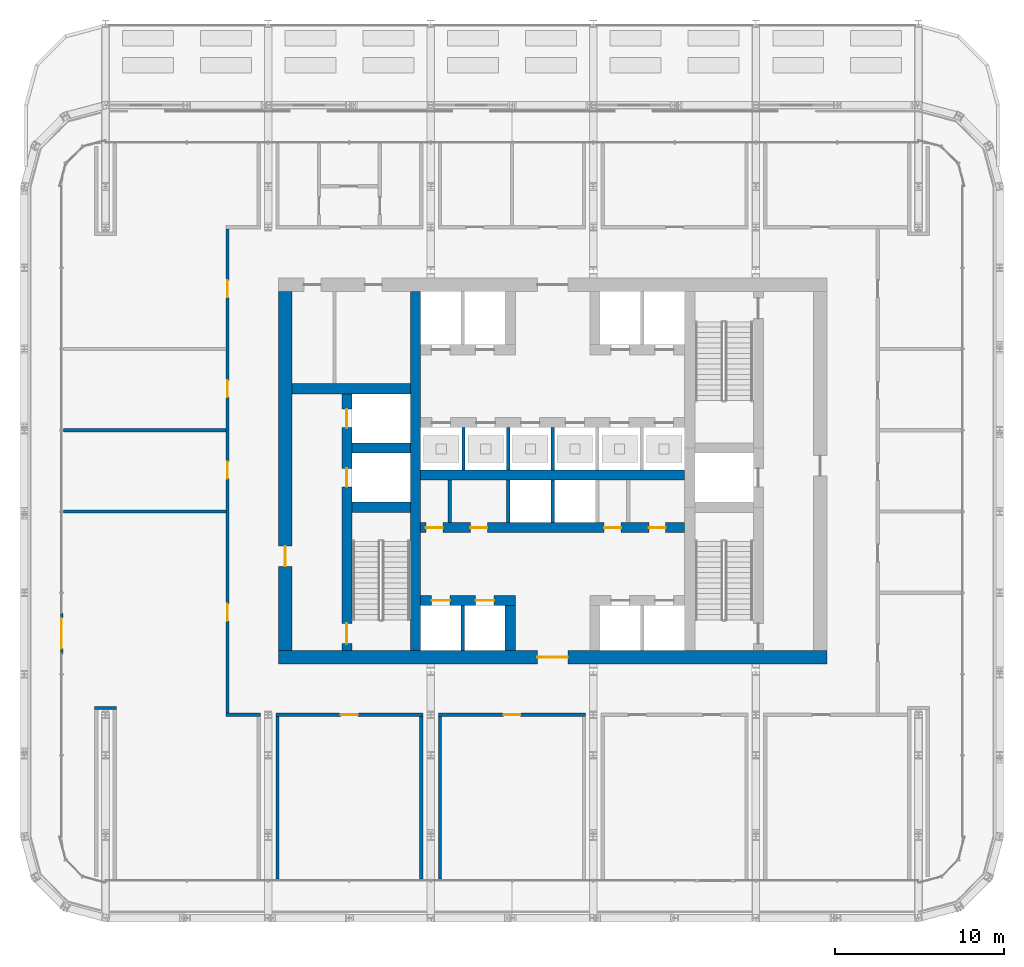
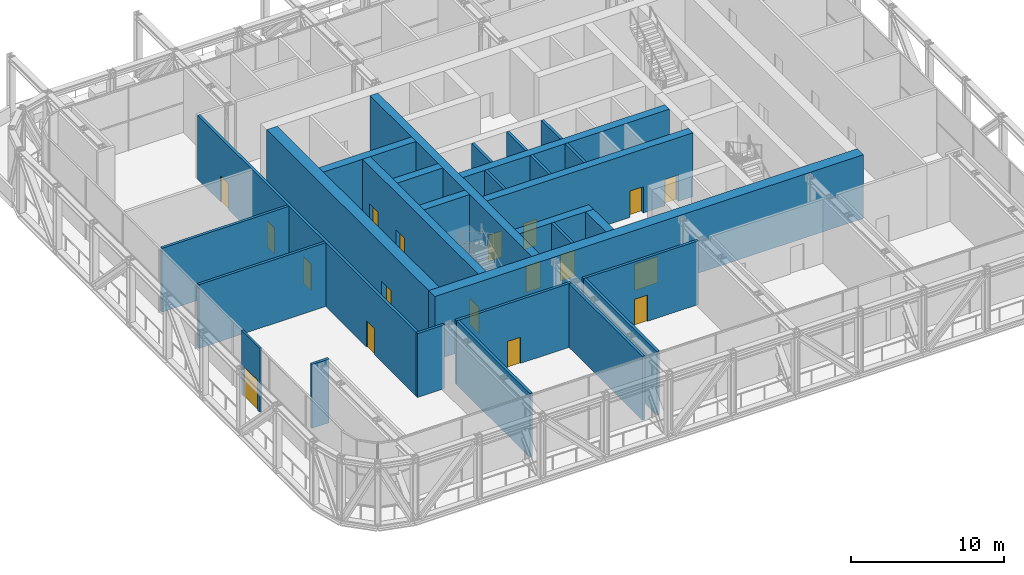
# One storey, part 16 of 27: 29 walls, 18 doors, 18 openings.
"""IFC4 building model written with IfcOpenShell, lengths in metres."""

from ifc_helpers import new_model, si_unit, direction, frame, frame_2d, origin, place, context, subcontext, project, spatial, rectangle, extrude, material, layer, layer_set, type_object, element, fill, save


model = new_model("IFC4")

# Units and contexts
model_context = context("Model", 3, precision=1e-05, world=origin(), true_north=direction((0.0, 1.0)))
body_context = subcontext(model_context, "Body", "Model", "MODEL_VIEW")
ifc_project = project(units=[si_unit("LENGTHUNIT", "METRE"), si_unit("AREAUNIT", "SQUARE_METRE"), si_unit("VOLUMEUNIT", "CUBIC_METRE"), si_unit("PLANEANGLEUNIT", "RADIAN"), si_unit("MASSUNIT", "GRAM", prefix="KILO")], contexts=[model_context])

# Site, building, storey
site_placement = place(None, origin())
site = spatial("IfcSite", under=ifc_project, at=site_placement, CompositionType="ELEMENT")
building_placement = place(site_placement, origin())
building = spatial("IfcBuilding", under=site, at=building_placement, Name="Madar Terraces", CompositionType="ELEMENT")
storey_placement = place(building_placement, frame((0.0, 0.0, 143.60009765625)))
storey = spatial("IfcBuildingStorey", under=building, at=storey_placement, Name="L37", CompositionType="ELEMENT", Elevation=143.60009765625)

# Wall, openings, doors
ifc_material_1 = material(Name="Concrete C70/85", Category="concrete")
ifc_layer_1 = layer(ifc_material_1, 0.60009765625)
ifc_layer_set_1 = layer_set([ifc_layer_1], Name="Concrete C70/85 (CIW3 RC wall 600)")
wall_type_1 = type_object("IfcWallType", Name="CIW3 RC wall 600", PredefinedType="SHEAR", material=ifc_layer_set_1)
wall_1_placement = place(storey_placement, frame((19.050048828125, 15.800048828125, 0.0), z_axis=(0.0, 0.0, 1.0), x_axis=(0.0, 1.0, 0.0)))
wall_1 = element("IfcWall", 1, at=wall_1_placement, inside=storey, type_object=wall_type_1, Name="CORE SHAFT WALL", PredefinedType="SHEAR", context=body_context, shape_type="SweptSolid", body=[
    extrude(rectangle(XDim=15.14990234375, YDim=0.60009765625, at=frame_2d((7.574951171875, 0.0))), origin(), (0.0, 0.0, 1.0), 5.099853515625),
])
opening_1_placement = place(wall_1_placement, frame((9.64990234375, 0.0, 0.0)))
opening_1 = element("IfcOpeningElement", 2, at=opening_1_placement, cuts=wall_1, Name="Opening LD", PredefinedType="OPENING", context=body_context, shape_type="SweptSolid", body=[
    extrude(rectangle(XDim=1.10009765625, YDim=2.10009765625, at=frame_2d((0.550048828125, 1.050048828125))), frame((0.0, 0.31005859375, 0.0), z_axis=(0.0, -1.0, 0.0), x_axis=(1.0, 0.0, 0.0)), (0.0, 0.0, 1.0), 0.6201171875),
])
opening_2_placement = place(wall_1_placement, frame((13.14990234375, 0.0, 0.0)))
opening_2 = element("IfcOpeningElement", 3, at=opening_2_placement, cuts=wall_1, Name="Opening LD", PredefinedType="OPENING", context=body_context, shape_type="SweptSolid", body=[
    extrude(rectangle(XDim=1.10009765625, YDim=2.10009765625, at=frame_2d((0.550048828125, 1.050048828125))), frame((0.0, 0.31005859375, 0.0), z_axis=(0.0, -1.0, 0.0), x_axis=(1.0, 0.0, 0.0)), (0.0, 0.0, 1.0), 0.6201171875),
])
opening_3_placement = place(wall_1_placement, frame((0.39990234375, 0.0, 0.0)))
opening_3 = element("IfcOpeningElement", 4, at=opening_3_placement, cuts=wall_1, Name="Opening SD1", PredefinedType="OPENING", context=body_context, shape_type="SweptSolid", body=[
    extrude(rectangle(XDim=1.199951171875, YDim=2.10009765625, at=frame_2d((0.60009765625, 1.050048828125))), frame((0.0, 0.31005859375, 0.0), z_axis=(0.0, -1.0, 0.0), x_axis=(1.0, 0.0, 0.0)), (0.0, 0.0, 1.0), 0.6201171875),
])
ifc_material_2 = material(Name="Stainless steel panel", Category="steel")
door_type_1 = type_object("IfcDoorType", Name="Lift landing door 1100 x 2100", OperationType="DOUBLE_DOOR_SLIDING", PredefinedType="DOOR", material=ifc_material_2)
door_1_placement = place(opening_1_placement, origin())
door_1 = element("IfcDoor", 5, at=door_1_placement, inside=storey, type_object=door_type_1, Name="LIFT LANDING DOOR", OperationType="DOUBLE_DOOR_SLIDING", OverallHeight=2.10009765625, OverallWidth=1.10009765625, PredefinedType="DOOR", context=body_context, shape_type="SweptSolid", body=[
    extrude(rectangle(XDim=1.10009765625, YDim=2.10009765625, at=frame_2d((0.550048828125, 1.050048828125))), frame((0.0, 0.02490234375, 0.0), z_axis=(0.0, -1.0, 0.0), x_axis=(1.0, 0.0, 0.0)), (0.0, 0.0, 1.0), 0.050048828125),
])
fill(opening_1, door_1)
door_2_placement = place(opening_2_placement, origin())
door_2 = element("IfcDoor", 6, at=door_2_placement, inside=storey, type_object=door_type_1, Name="LIFT LANDING DOOR", OperationType="DOUBLE_DOOR_SLIDING", OverallHeight=2.10009765625, OverallWidth=1.10009765625, PredefinedType="DOOR", context=body_context, shape_type="SweptSolid", body=[
    extrude(rectangle(XDim=1.10009765625, YDim=2.10009765625, at=frame_2d((0.550048828125, 1.050048828125))), frame((0.0, 0.02490234375, 0.0), z_axis=(0.0, -1.0, 0.0), x_axis=(1.0, 0.0, 0.0)), (0.0, 0.0, 1.0), 0.050048828125),
])
fill(opening_2, door_2)
ifc_material_3 = material(Name="Steel door leaf", Category="steel")
door_type_2 = type_object("IfcDoorType", Name="Stair door 1200 x 2100", OperationType="NOTDEFINED", PredefinedType="DOOR", material=ifc_material_3)
door_3_placement = place(opening_3_placement, frame((1.199951171875, 0.0, 0.0), z_axis=(0.0, 0.0, 1.0), x_axis=(-1.0, 0.0, 0.0)))
door_3 = element("IfcDoor", 7, at=door_3_placement, inside=storey, type_object=door_type_2, Name="STAIR DOOR", OperationType="SINGLE_SWING_LEFT", OverallHeight=2.10009765625, OverallWidth=1.199951171875, PredefinedType="DOOR", context=body_context, shape_type="SweptSolid", body=[
    extrude(rectangle(XDim=1.199951171875, YDim=2.10009765625, at=frame_2d((0.60009765625, 1.050048828125))), frame((0.0, 0.02490234375, 0.0), z_axis=(0.0, -1.0, 0.0), x_axis=(1.0, 0.0, 0.0)), (0.0, 0.0, 1.0), 0.050048828125),
])
fill(opening_3, door_3)

# Walls
wall_2_placement = place(storey_placement, frame((23.10009765625, 15.800048828125, 0.0), z_axis=(0.0, 0.0, 1.0), x_axis=(0.0, 1.0, 0.0)))
element("IfcWall", 8, at=wall_2_placement, inside=storey, type_object=wall_type_1, Name="CORE SHAFT WALL", PredefinedType="SHEAR", context=body_context, shape_type="SweptSolid", body=[
    extrude(rectangle(XDim=21.199951171875, YDim=0.60009765625, at=frame_2d((10.60009765625, 0.0))), origin(), (0.0, 0.0, 1.0), 5.099853515625),
])
for number, where, z_axis, x_axis, name in (
    (9, (19.35009765625, 24.25, 0.0), (0.0, 0.0, 1.0), (1.0, 0.0, 0.0), "CORE SHAFT WALL"),
    (10, (19.35009765625, 27.75, 0.0), (0.0, 0.0, 1.0), (1.0, 0.0, 0.0), "CORE SHAFT WALL"),
):
    element("IfcWall", number, at=place(storey_placement, frame(where, z_axis=z_axis, x_axis=x_axis)), inside=storey, type_object=wall_type_1, Name=name, PredefinedType="SHEAR", context=body_context, shape_type="SweptSolid", body=[
        extrude(rectangle(XDim=3.449951171875, YDim=0.60009765625, at=frame_2d((1.72509765625, 0.0))), origin(), (0.0, 0.0, 1.0), 5.099853515625),
    ])
wall_3_placement = place(storey_placement, frame((15.800048828125, 31.25, 0.0), z_axis=(0.0, 0.0, 1.0), x_axis=(1.0, 0.0, 0.0)))
element("IfcWall", 11, at=wall_3_placement, inside=storey, type_object=wall_type_1, Name="CORE SHAFT WALL", PredefinedType="SHEAR", context=body_context, shape_type="SweptSolid", body=[
    extrude(rectangle(XDim=7.0, YDim=0.60009765625, at=frame_2d((3.5, 0.0))), origin(), (0.0, 0.0, 1.0), 5.099853515625),
])

# Wall, openings, doors
wall_4_placement = place(storey_placement, frame((23.39990234375, 18.75, 0.0), z_axis=(0.0, 0.0, 1.0), x_axis=(1.0, 0.0, 0.0)))
wall_4 = element("IfcWall", 12, at=wall_4_placement, inside=storey, type_object=wall_type_1, Name="CORE SHAFT WALL", PredefinedType="SHEAR", context=body_context, shape_type="SweptSolid", body=[
    extrude(rectangle(XDim=5.60009765625, YDim=0.60009765625, at=frame_2d((2.800048828125, 0.0))), origin(), (0.0, 0.0, 1.0), 5.099853515625),
])
opening_4_placement = place(wall_4_placement, frame((0.64990234375, 0.0, 0.0)))
opening_4 = element("IfcOpeningElement", 13, at=opening_4_placement, cuts=wall_4, Name="Opening LD", PredefinedType="OPENING", context=body_context, shape_type="SweptSolid", body=[
    extrude(rectangle(XDim=1.10009765625, YDim=2.10009765625, at=frame_2d((0.550048828125, 1.050048828125))), frame((0.0, 0.31005859375, 0.0), z_axis=(0.0, -1.0, 0.0), x_axis=(1.0, 0.0, 0.0)), (0.0, 0.0, 1.0), 0.6201171875),
])
opening_5_placement = place(wall_4_placement, frame((3.25, 0.0, 0.0)))
opening_5 = element("IfcOpeningElement", 14, at=opening_5_placement, cuts=wall_4, Name="Opening LD", PredefinedType="OPENING", context=body_context, shape_type="SweptSolid", body=[
    extrude(rectangle(XDim=1.10009765625, YDim=2.10009765625, at=frame_2d((0.550048828125, 1.050048828125))), frame((0.0, 0.31005859375, 0.0), z_axis=(0.0, -1.0, 0.0), x_axis=(1.0, 0.0, 0.0)), (0.0, 0.0, 1.0), 0.6201171875),
])
door_4_placement = place(opening_4_placement, origin())
door_4 = element("IfcDoor", 15, at=door_4_placement, inside=storey, type_object=door_type_1, Name="LIFT LANDING DOOR", OperationType="DOUBLE_DOOR_SLIDING", OverallHeight=2.10009765625, OverallWidth=1.10009765625, PredefinedType="DOOR", context=body_context, shape_type="SweptSolid", body=[
    extrude(rectangle(XDim=1.10009765625, YDim=2.10009765625, at=frame_2d((0.550048828125, 1.050048828125))), frame((0.0, 0.02490234375, 0.0), z_axis=(0.0, -1.0, 0.0), x_axis=(1.0, 0.0, 0.0)), (0.0, 0.0, 1.0), 0.050048828125),
])
fill(opening_4, door_4)
door_5_placement = place(opening_5_placement, origin())
door_5 = element("IfcDoor", 16, at=door_5_placement, inside=storey, type_object=door_type_1, Name="LIFT LANDING DOOR", OperationType="DOUBLE_DOOR_SLIDING", OverallHeight=2.10009765625, OverallWidth=1.10009765625, PredefinedType="DOOR", context=body_context, shape_type="SweptSolid", body=[
    extrude(rectangle(XDim=1.10009765625, YDim=2.10009765625, at=frame_2d((0.550048828125, 1.050048828125))), frame((0.0, 0.02490234375, 0.0), z_axis=(0.0, -1.0, 0.0), x_axis=(1.0, 0.0, 0.0)), (0.0, 0.0, 1.0), 0.050048828125),
])
fill(opening_5, door_5)

wall_5_placement = place(storey_placement, frame((23.39990234375, 23.050048828125, 0.0), z_axis=(0.0, 0.0, 1.0), x_axis=(1.0, 0.0, 0.0)))
wall_5 = element("IfcWall", 17, at=wall_5_placement, inside=storey, type_object=wall_type_1, Name="CORE SHAFT WALL", PredefinedType="SHEAR", context=body_context, shape_type="SweptSolid", body=[
    extrude(rectangle(XDim=15.60009765625, YDim=0.60009765625, at=frame_2d((7.800048828125, 0.0))), origin(), (0.0, 0.0, 1.0), 5.099853515625),
])
opening_6_placement = place(wall_5_placement, frame((0.311279296875, 0.0, 0.0)))
opening_6 = element("IfcOpeningElement", 18, at=opening_6_placement, cuts=wall_5, Name="Opening KD2", PredefinedType="OPENING", context=body_context, shape_type="SweptSolid", body=[
    extrude(rectangle(XDim=1.0, YDim=2.10009765625, at=frame_2d((0.5, 1.050048828125))), frame((0.0, 0.31005859375, 0.0), z_axis=(0.0, -1.0, 0.0), x_axis=(1.0, 0.0, 0.0)), (0.0, 0.0, 1.0), 0.6201171875),
])
opening_7_placement = place(wall_5_placement, frame((2.944580078125, 0.0, 0.0)))
opening_7 = element("IfcOpeningElement", 19, at=opening_7_placement, cuts=wall_5, Name="Opening KD2", PredefinedType="OPENING", context=body_context, shape_type="SweptSolid", body=[
    extrude(rectangle(XDim=1.0, YDim=2.10009765625, at=frame_2d((0.5, 1.050048828125))), frame((0.0, 0.31005859375, 0.0), z_axis=(0.0, -1.0, 0.0), x_axis=(1.0, 0.0, 0.0)), (0.0, 0.0, 1.0), 0.6201171875),
])
opening_8_placement = place(wall_5_placement, frame((10.8447265625, 0.0, 0.0)))
opening_8 = element("IfcOpeningElement", 20, at=opening_8_placement, cuts=wall_5, Name="Opening KD2", PredefinedType="OPENING", context=body_context, shape_type="SweptSolid", body=[
    extrude(rectangle(XDim=1.0, YDim=2.10009765625, at=frame_2d((0.5, 1.050048828125))), frame((0.0, 0.31005859375, 0.0), z_axis=(0.0, -1.0, 0.0), x_axis=(1.0, 0.0, 0.0)), (0.0, 0.0, 1.0), 0.6201171875),
])
opening_9_placement = place(wall_5_placement, frame((13.47802734375, 0.0, 0.0)))
opening_9 = element("IfcOpeningElement", 21, at=opening_9_placement, cuts=wall_5, Name="Opening KD2", PredefinedType="OPENING", context=body_context, shape_type="SweptSolid", body=[
    extrude(rectangle(XDim=1.0, YDim=2.10009765625, at=frame_2d((0.5, 1.050048828125))), frame((0.0, 0.31005859375, 0.0), z_axis=(0.0, -1.0, 0.0), x_axis=(1.0, 0.0, 0.0)), (0.0, 0.0, 1.0), 0.6201171875),
])
ifc_material_4 = material(Name="Steel door leaf", Category="steel")
door_type_3 = type_object("IfcDoorType", Name="Service room door 1000 x 2100", OperationType="NOTDEFINED", PredefinedType="DOOR", material=ifc_material_4)
door_6_placement = place(opening_6_placement, frame((1.0, 0.0, 0.0), z_axis=(0.0, 0.0, 1.0), x_axis=(-1.0, 0.0, 0.0)))
door_6 = element("IfcDoor", 22, at=door_6_placement, inside=storey, type_object=door_type_3, Name="SERVICE ROOM DOOR", OperationType="SINGLE_SWING_RIGHT", OverallHeight=2.10009765625, OverallWidth=1.0, PredefinedType="DOOR", context=body_context, shape_type="SweptSolid", body=[
    extrude(rectangle(XDim=1.0, YDim=2.10009765625, at=frame_2d((0.5, 1.050048828125))), frame((0.0, 0.02490234375, 0.0), z_axis=(0.0, -1.0, 0.0), x_axis=(1.0, 0.0, 0.0)), (0.0, 0.0, 1.0), 0.050048828125),
])
fill(opening_6, door_6)
door_7_placement = place(opening_7_placement, frame((1.0, 0.0, 0.0), z_axis=(0.0, 0.0, 1.0), x_axis=(-1.0, 0.0, 0.0)))
door_7 = element("IfcDoor", 23, at=door_7_placement, inside=storey, type_object=door_type_3, Name="SERVICE ROOM DOOR", OperationType="SINGLE_SWING_LEFT", OverallHeight=2.10009765625, OverallWidth=1.0, PredefinedType="DOOR", context=body_context, shape_type="SweptSolid", body=[
    extrude(rectangle(XDim=1.0, YDim=2.10009765625, at=frame_2d((0.5, 1.050048828125))), frame((0.0, 0.02490234375, 0.0), z_axis=(0.0, -1.0, 0.0), x_axis=(1.0, 0.0, 0.0)), (0.0, 0.0, 1.0), 0.050048828125),
])
fill(opening_7, door_7)
door_8_placement = place(opening_8_placement, frame((1.0, 0.0, 0.0), z_axis=(0.0, 0.0, 1.0), x_axis=(-1.0, 0.0, 0.0)))
door_8 = element("IfcDoor", 24, at=door_8_placement, inside=storey, type_object=door_type_3, Name="SERVICE ROOM DOOR", OperationType="SINGLE_SWING_RIGHT", OverallHeight=2.10009765625, OverallWidth=1.0, PredefinedType="DOOR", context=body_context, shape_type="SweptSolid", body=[
    extrude(rectangle(XDim=1.0, YDim=2.10009765625, at=frame_2d((0.5, 1.050048828125))), frame((0.0, 0.02490234375, 0.0), z_axis=(0.0, -1.0, 0.0), x_axis=(1.0, 0.0, 0.0)), (0.0, 0.0, 1.0), 0.050048828125),
])
fill(opening_8, door_8)
door_9_placement = place(opening_9_placement, frame((1.0, 0.0, 0.0), z_axis=(0.0, 0.0, 1.0), x_axis=(-1.0, 0.0, 0.0)))
door_9 = element("IfcDoor", 25, at=door_9_placement, inside=storey, type_object=door_type_3, Name="SERVICE ROOM DOOR", OperationType="SINGLE_SWING_LEFT", OverallHeight=2.10009765625, OverallWidth=1.0, PredefinedType="DOOR", context=body_context, shape_type="SweptSolid", body=[
    extrude(rectangle(XDim=1.0, YDim=2.10009765625, at=frame_2d((0.5, 1.050048828125))), frame((0.0, 0.02490234375, 0.0), z_axis=(0.0, -1.0, 0.0), x_axis=(1.0, 0.0, 0.0)), (0.0, 0.0, 1.0), 0.050048828125),
])
fill(opening_9, door_9)

# Walls
wall_6_placement = place(storey_placement, frame((23.39990234375, 26.14990234375, 0.0), z_axis=(0.0, 0.0, 1.0), x_axis=(1.0, 0.0, 0.0)))
element("IfcWall", 26, at=wall_6_placement, inside=storey, type_object=wall_type_1, Name="CORE SHAFT WALL", PredefinedType="SHEAR", context=body_context, shape_type="SweptSolid", body=[
    extrude(rectangle(XDim=15.60009765625, YDim=0.60009765625, at=frame_2d((7.800048828125, 0.0))), origin(), (0.0, 0.0, 1.0), 5.099853515625),
])
wall_7_placement = place(storey_placement, frame((28.699951171875, 15.800048828125, 0.0), z_axis=(0.0, 0.0, 1.0), x_axis=(0.0, 1.0, 0.0)))
element("IfcWall", 27, at=wall_7_placement, inside=storey, type_object=wall_type_1, Name="CORE SHAFT WALL", PredefinedType="SHEAR", context=body_context, shape_type="SweptSolid", body=[
    extrude(rectangle(XDim=2.64990234375, YDim=0.60009765625, at=frame_2d((1.324951171875, 0.0))), origin(), (0.0, 0.0, 1.0), 5.099853515625),
])

# Wall, opening, door
ifc_material_5 = material(Name="Concrete C70/85", Category="concrete")
ifc_layer_2 = layer(ifc_material_5, 0.800048828125)
ifc_layer_set_2 = layer_set([ifc_layer_2], Name="Concrete C70/85 (CRW3 RC wall 800)")
wall_type_2 = type_object("IfcWallType", Name="CRW3 RC wall 800", PredefinedType="SHEAR", material=ifc_layer_set_2)
wall_8_placement = place(storey_placement, frame((15.0, 15.39990234375, 0.0), z_axis=(0.0, 0.0, 1.0), x_axis=(1.0, 0.0, 0.0)))
wall_8 = element("IfcWall", 28, at=wall_8_placement, inside=storey, type_object=wall_type_2, Name="CORE OUTER WALL", PredefinedType="SHEAR", context=body_context, shape_type="SweptSolid", body=[
    extrude(rectangle(XDim=32.39990234375, YDim=0.800048828125, at=frame_2d((16.199951171875, 0.0))), origin(), (0.0, 0.0, 1.0), 5.099853515625),
])
opening_10_placement = place(wall_8_placement, frame((15.300048828125, 0.0, 0.0)))
opening_10 = element("IfcOpeningElement", 29, at=opening_10_placement, cuts=wall_8, Name="Opening KD1", PredefinedType="OPENING", context=body_context, shape_type="SweptSolid", body=[
    extrude(rectangle(XDim=1.800048828125, YDim=2.10009765625, at=frame_2d((0.89990234375, 1.050048828125))), frame((0.0, 0.409912109375, 0.0), z_axis=(0.0, -1.0, 0.0), x_axis=(1.0, 0.0, 0.0)), (0.0, 0.0, 1.0), 0.820068359375),
])
ifc_material_6 = material(Name="Steel door leaf", Category="steel")
door_type_4 = type_object("IfcDoorType", Name="Lobby door pair 1800 x 2100", OperationType="DOUBLE_DOOR_SINGLE_SWING", PredefinedType="DOOR", material=ifc_material_6)
door_10_placement = place(opening_10_placement, frame((1.800048828125, 0.0, 0.0), z_axis=(0.0, 0.0, 1.0), x_axis=(-1.0, 0.0, 0.0)))
door_10 = element("IfcDoor", 30, at=door_10_placement, inside=storey, type_object=door_type_4, Name="LIFT LOBBY DOOR", OperationType="DOUBLE_DOOR_SINGLE_SWING", OverallHeight=2.10009765625, OverallWidth=1.800048828125, PredefinedType="DOOR", context=body_context, shape_type="SweptSolid", body=[
    extrude(rectangle(XDim=1.800048828125, YDim=2.10009765625, at=frame_2d((0.89990234375, 1.050048828125))), frame((0.0, 0.02490234375, 0.0), z_axis=(0.0, -1.0, 0.0), x_axis=(1.0, 0.0, 0.0)), (0.0, 0.0, 1.0), 0.050048828125),
])
fill(opening_10, door_10)

wall_9_placement = place(storey_placement, frame((15.39990234375, 15.800048828125, 0.0), z_axis=(0.0, 0.0, 1.0), x_axis=(0.0, 1.0, 0.0)))
wall_9 = element("IfcWall", 31, at=wall_9_placement, inside=storey, type_object=wall_type_2, Name="CORE OUTER WALL", PredefinedType="SHEAR", context=body_context, shape_type="SweptSolid", body=[
    extrude(rectangle(XDim=21.199951171875, YDim=0.800048828125, at=frame_2d((10.60009765625, 0.0))), origin(), (0.0, 0.0, 1.0), 5.099853515625),
])
opening_11_placement = place(wall_9_placement, frame((4.9599609375, 0.0, 0.0)))
opening_11 = element("IfcOpeningElement", 32, at=opening_11_placement, cuts=wall_9, Name="Opening SD1", PredefinedType="OPENING", context=body_context, shape_type="SweptSolid", body=[
    extrude(rectangle(XDim=1.199951171875, YDim=2.10009765625, at=frame_2d((0.60009765625, 1.050048828125))), frame((0.0, 0.409912109375, 0.0), z_axis=(0.0, -1.0, 0.0), x_axis=(1.0, 0.0, 0.0)), (0.0, 0.0, 1.0), 0.820068359375),
])
door_11_placement = place(opening_11_placement, frame((1.199951171875, 0.0, 0.0), z_axis=(0.0, 0.0, 1.0), x_axis=(-1.0, 0.0, 0.0)))
door_11 = element("IfcDoor", 33, at=door_11_placement, inside=storey, type_object=door_type_2, Name="STAIR DOOR", OperationType="SINGLE_SWING_RIGHT", OverallHeight=2.10009765625, OverallWidth=1.199951171875, PredefinedType="DOOR", context=body_context, shape_type="SweptSolid", body=[
    extrude(rectangle(XDim=1.199951171875, YDim=2.10009765625, at=frame_2d((0.60009765625, 1.050048828125))), frame((0.0, 0.02490234375, 0.0), z_axis=(0.0, -1.0, 0.0), x_axis=(1.0, 0.0, 0.0)), (0.0, 0.0, 1.0), 0.050048828125),
])
fill(opening_11, door_11)

# Walls
ifc_material_7 = material(Name="Masonry blockwork", Category="masonry")
ifc_layer_3 = layer(ifc_material_7, 0.199951171875)
ifc_layer_set_3 = layer_set([ifc_layer_3], Name="Core partition 200 blockwork")
wall_type_3 = type_object("IfcWallType", Name="Core partition 200 blockwork", PredefinedType="PARTITIONING", material=ifc_layer_set_3)
wall_10_placement = place(storey_placement, frame((25.12255859375, 23.35009765625, 0.0), z_axis=(0.0, 0.0, 1.0), x_axis=(0.0, 1.0, 0.0)))
element("IfcWall", 34, at=wall_10_placement, inside=storey, type_object=wall_type_3, Name="SERVICE ROOM PARTITION", PredefinedType="PARTITIONING", context=body_context, shape_type="SweptSolid", body=[
    extrude(rectangle(XDim=2.5, YDim=0.199951171875, at=frame_2d((1.25, 0.0))), origin(), (0.0, 0.0, 1.0), 5.099853515625),
])
ifc_material_8 = material(Name="Concrete C40/50", Category="concrete")
ifc_layer_4 = layer(ifc_material_8, 0.199951171875)
ifc_layer_set_4 = layer_set([ifc_layer_4], Name="Core shaft dividing wall 200 C40/50")
wall_type_4 = type_object("IfcWallType", Name="Core shaft dividing wall 200 C40/50", PredefinedType="SOLIDWALL", material=ifc_layer_set_4)
for number, where, z_axis, x_axis, name in (
    (35, (25.933349609375, 26.449951171875, 0.0), (0.0, 0.0, 1.0), (0.0, 1.0, 0.0), "SHAFT DIVIDING WALL"),
    (36, (28.566650390625, 23.35009765625, 0.0), (0.0, 0.0, 1.0), (0.0, 1.0, 0.0), "SHAFT DIVIDING WALL"),
    (37, (28.566650390625, 26.449951171875, 0.0), (0.0, 0.0, 1.0), (0.0, 1.0, 0.0), "SHAFT DIVIDING WALL"),
    (38, (31.199951171875, 23.35009765625, 0.0), (0.0, 0.0, 1.0), (0.0, 1.0, 0.0), "SHAFT DIVIDING WALL"),
    (39, (31.199951171875, 26.449951171875, 0.0), (0.0, 0.0, 1.0), (0.0, 1.0, 0.0), "SHAFT DIVIDING WALL"),
):
    element("IfcWall", number, at=place(storey_placement, frame(where, z_axis=z_axis, x_axis=x_axis)), inside=storey, type_object=wall_type_4, Name=name, PredefinedType="SOLIDWALL", context=body_context, shape_type="SweptSolid", body=[
        extrude(rectangle(XDim=2.5, YDim=0.199951171875, at=frame_2d((1.25, 0.0))), origin(), (0.0, 0.0, 1.0), 5.099853515625),
    ])
wall_11_placement = place(storey_placement, frame((25.89990234375, 15.800048828125, 0.0), z_axis=(0.0, 0.0, 1.0), x_axis=(0.0, 1.0, 0.0)))
element("IfcWall", 40, at=wall_11_placement, inside=storey, type_object=wall_type_4, Name="SHAFT DIVIDING WALL", PredefinedType="SOLIDWALL", context=body_context, shape_type="SweptSolid", body=[
    extrude(rectangle(XDim=2.64990234375, YDim=0.199951171875, at=frame_2d((1.324951171875, 0.0))), origin(), (0.0, 0.0, 1.0), 5.099853515625),
])

# Wall, opening, door
ifc_material_9 = material(Name="Aluminium composite panel, black, over insulated backing", Category="aluminium")
ifc_layer_5 = layer(ifc_material_9, 0.14990234375)
ifc_layer_set_5 = layer_set([ifc_layer_5], Name="Facade bay panel 150")
wall_type_5 = type_object("IfcWallType", Name="Facade bay panel 150", PredefinedType="SOLIDWALL", material=ifc_layer_set_5)
wall_12_placement = place(storey_placement, frame((2.199951171875, 18.0, 0.0), z_axis=(0.0, 0.0, 1.0), x_axis=(0.0, -1.0, 0.0)))
wall_12 = element("IfcWall", 41, at=wall_12_placement, inside=storey, type_object=wall_type_5, Name="Facade bay panel", PredefinedType="SOLIDWALL", context=body_context, shape_type="SweptSolid", body=[
    extrude(rectangle(XDim=2.39990234375, YDim=0.14990234375, at=frame_2d((1.199951171875, 0.0))), origin(), (0.0, 0.0, 1.0), 5.099853515625),
])
opening_12_placement = place(wall_12_placement, frame((0.300048828125, 0.0, 0.0)))
opening_12 = element("IfcOpeningElement", 42, at=opening_12_placement, cuts=wall_12, Name="Opening ED1", PredefinedType="OPENING", context=body_context, shape_type="SweptSolid", body=[
    extrude(rectangle(XDim=1.800048828125, YDim=2.39990234375, at=frame_2d((0.89990234375, 1.199951171875))), frame((0.0, 0.0849609375, 0.0), z_axis=(0.0, -1.0, 0.0), x_axis=(1.0, 0.0, 0.0)), (0.0, 0.0, 1.0), 0.169921875),
])
ifc_material_10 = material(Name="Glass, clear, with black aluminium frame", Category="aluminium")
door_type_5 = type_object("IfcDoorType", Name="Balcony and terrace sliding door 1800 x 2400", OperationType="SLIDING_TO_LEFT", PredefinedType="DOOR", material=ifc_material_10)
door_12_placement = place(opening_12_placement, origin())
door_12 = element("IfcDoor", 43, at=door_12_placement, inside=storey, type_object=door_type_5, Name="Balcony door", OperationType="SLIDING_TO_RIGHT", OverallHeight=2.39990234375, OverallWidth=1.800048828125, PredefinedType="DOOR", context=body_context, shape_type="SweptSolid", body=[
    extrude(rectangle(XDim=1.800048828125, YDim=2.39990234375, at=frame_2d((0.89990234375, 1.199951171875))), frame((0.0, 0.02490234375, 0.0), z_axis=(0.0, -1.0, 0.0), x_axis=(1.0, 0.0, 0.0)), (0.0, 0.0, 1.0), 0.050048828125),
])
fill(opening_12, door_12)

# Wall
ifc_material_11 = material(Name="Gypsum board partition, fire-rated")
ifc_layer_6 = layer(ifc_material_11, 0.199951171875)
ifc_layer_set_6 = layer_set([ifc_layer_6], Name="Partition 200 EI 60")
wall_type_6 = type_object("IfcWallType", Name="Partition 200 EI 60", PredefinedType="PARTITIONING", material=ifc_layer_set_6)
wall_13_placement = place(storey_placement, frame((11.89990234375, 12.0, 0.0), z_axis=(0.0, 0.0, 1.0), x_axis=(1.0, 0.0, 0.0)))
element("IfcWall", 44, at=wall_13_placement, inside=storey, type_object=wall_type_6, Name="Wall RECEPTION / RING CORRIDOR", PredefinedType="PARTITIONING", context=body_context, shape_type="SweptSolid", body=[
    extrude(rectangle(XDim=2.050048828125, YDim=0.199951171875, at=frame_2d((1.02490234375, 0.0))), origin(), (0.0, 0.0, 1.0), 5.099853515625),
])

# Wall, opening, door
wall_14_placement = place(storey_placement, frame((23.550048828125, 12.0, 0.0), z_axis=(0.0, 0.0, 1.0), x_axis=(-1.0, 0.0, 0.0)))
wall_14 = element("IfcWall", 45, at=wall_14_placement, inside=storey, type_object=wall_type_6, Name="Wall OFFICE / RING CORRIDOR", PredefinedType="PARTITIONING", context=body_context, shape_type="SweptSolid", body=[
    extrude(rectangle(XDim=8.699951171875, YDim=0.199951171875, at=frame_2d((4.35009765625, 0.0))), origin(), (0.0, 0.0, 1.0), 5.099853515625),
])
opening_13_placement = place(wall_14_placement, frame((3.85009765625, 0.0, 0.0)))
opening_13 = element("IfcOpeningElement", 46, at=opening_13_placement, cuts=wall_14, Name="Opening D31", PredefinedType="OPENING", context=body_context, shape_type="SweptSolid", body=[
    extrude(rectangle(XDim=1.0, YDim=2.10009765625, at=frame_2d((0.5, 1.050048828125))), frame((0.0, 0.10986328125, 0.0), z_axis=(0.0, -1.0, 0.0), x_axis=(1.0, 0.0, 0.0)), (0.0, 0.0, 1.0), 0.219970703125),
])
ifc_material_12 = material(Name="Timber door leaf, fire-rated", Category="wood")
door_type_6 = type_object("IfcDoorType", Name="Podium door 1000 x 2100 FD30S", OperationType="NOTDEFINED", PredefinedType="DOOR", material=ifc_material_12)
door_13_placement = place(opening_13_placement, origin())
door_13 = element("IfcDoor", 47, at=door_13_placement, inside=storey, type_object=door_type_6, Name="Door OFFICE / RING CORRIDOR", OperationType="SINGLE_SWING_LEFT", OverallHeight=2.10009765625, OverallWidth=1.0, PredefinedType="DOOR", context=body_context, shape_type="SweptSolid", body=[
    extrude(rectangle(XDim=1.0, YDim=2.10009765625, at=frame_2d((0.5, 1.050048828125))), frame((0.0, 0.02490234375, 0.0), z_axis=(0.0, -1.0, 0.0), x_axis=(1.0, 0.0, 0.0)), (0.0, 0.0, 1.0), 0.050048828125),
])
fill(opening_13, door_13)

wall_15_placement = place(storey_placement, frame((33.14990234375, 12.0, 0.0), z_axis=(0.0, 0.0, 1.0), x_axis=(-1.0, 0.0, 0.0)))
wall_15 = element("IfcWall", 48, at=wall_15_placement, inside=storey, type_object=wall_type_6, Name="Wall OFFICE / RING CORRIDOR", PredefinedType="PARTITIONING", context=body_context, shape_type="SweptSolid", body=[
    extrude(rectangle(XDim=8.699951171875, YDim=0.199951171875, at=frame_2d((4.35009765625, 0.0))), origin(), (0.0, 0.0, 1.0), 5.099853515625),
])
opening_14_placement = place(wall_15_placement, frame((3.85009765625, 0.0, 0.0)))
opening_14 = element("IfcOpeningElement", 49, at=opening_14_placement, cuts=wall_15, Name="Opening D31", PredefinedType="OPENING", context=body_context, shape_type="SweptSolid", body=[
    extrude(rectangle(XDim=1.0, YDim=2.10009765625, at=frame_2d((0.5, 1.050048828125))), frame((0.0, 0.10986328125, 0.0), z_axis=(0.0, -1.0, 0.0), x_axis=(1.0, 0.0, 0.0)), (0.0, 0.0, 1.0), 0.219970703125),
])
door_14_placement = place(opening_14_placement, origin())
door_14 = element("IfcDoor", 50, at=door_14_placement, inside=storey, type_object=door_type_6, Name="Door OFFICE / RING CORRIDOR", OperationType="SINGLE_SWING_RIGHT", OverallHeight=2.10009765625, OverallWidth=1.0, PredefinedType="DOOR", context=body_context, shape_type="SweptSolid", body=[
    extrude(rectangle(XDim=1.0, YDim=2.10009765625, at=frame_2d((0.5, 1.050048828125))), frame((0.0, 0.02490234375, 0.0), z_axis=(0.0, -1.0, 0.0), x_axis=(1.0, 0.0, 0.0)), (0.0, 0.0, 1.0), 0.050048828125),
])
fill(opening_14, door_14)

# Walls
for number, where, z_axis, x_axis, name in (
    (51, (2.300048828125, 24.0, 0.0), (0.0, 0.0, 1.0), (1.0, 0.0, 0.0), "Wall RECEPTION / WELCOME DESK"),
    (52, (2.300048828125, 28.800048828125, 0.0), (0.0, 0.0, 1.0), (1.0, 0.0, 0.0), "Wall WELCOME DESK / GAMES ROOM"),
):
    element("IfcWall", number, at=place(storey_placement, frame(where, z_axis=z_axis, x_axis=x_axis)), inside=storey, type_object=wall_type_6, Name=name, PredefinedType="PARTITIONING", context=body_context, shape_type="SweptSolid", body=[
        extrude(rectangle(XDim=9.599853515625, YDim=0.199951171875, at=frame_2d((4.7998046875, 0.0))), origin(), (0.0, 0.0, 1.0), 5.099853515625),
    ])

# Wall, openings, doors
wall_16_placement = place(storey_placement, frame((12.0, 12.10009765625, 0.0), z_axis=(0.0, 0.0, 1.0), x_axis=(0.0, 1.0, 0.0)))
wall_16 = element("IfcWall", 53, at=wall_16_placement, inside=storey, type_object=wall_type_6, Name="Wall GAMES ROOM + RECEPTION", PredefinedType="PARTITIONING", context=body_context, shape_type="SweptSolid", body=[
    extrude(rectangle(XDim=28.599853515625, YDim=0.199951171875, at=frame_2d((14.2998046875, 0.0))), origin(), (0.0, 0.0, 1.0), 5.099853515625),
])
opening_15_placement = place(wall_16_placement, frame((5.449951171875, 0.0, 0.0)))
opening_15 = element("IfcOpeningElement", 54, at=opening_15_placement, cuts=wall_16, Name="Opening D31", PredefinedType="OPENING", context=body_context, shape_type="SweptSolid", body=[
    extrude(rectangle(XDim=1.0, YDim=2.10009765625, at=frame_2d((0.5, 1.050048828125))), frame((0.0, 0.10986328125, 0.0), z_axis=(0.0, -1.0, 0.0), x_axis=(1.0, 0.0, 0.0)), (0.0, 0.0, 1.0), 0.219970703125),
])
opening_16_placement = place(wall_16_placement, frame((13.85009765625, 0.0, 0.0)))
opening_16 = element("IfcOpeningElement", 55, at=opening_16_placement, cuts=wall_16, Name="Opening D31", PredefinedType="OPENING", context=body_context, shape_type="SweptSolid", body=[
    extrude(rectangle(XDim=1.0, YDim=2.10009765625, at=frame_2d((0.5, 1.050048828125))), frame((0.0, 0.10986328125, 0.0), z_axis=(0.0, -1.0, 0.0), x_axis=(1.0, 0.0, 0.0)), (0.0, 0.0, 1.0), 0.219970703125),
])
opening_17_placement = place(wall_16_placement, frame((18.64990234375, 0.0, 0.0)))
opening_17 = element("IfcOpeningElement", 56, at=opening_17_placement, cuts=wall_16, Name="Opening D31", PredefinedType="OPENING", context=body_context, shape_type="SweptSolid", body=[
    extrude(rectangle(XDim=1.0, YDim=2.10009765625, at=frame_2d((0.5, 1.050048828125))), frame((0.0, 0.10986328125, 0.0), z_axis=(0.0, -1.0, 0.0), x_axis=(1.0, 0.0, 0.0)), (0.0, 0.0, 1.0), 0.219970703125),
])
opening_18_placement = place(wall_16_placement, frame((24.550048828125, 0.0, 0.0)))
opening_18 = element("IfcOpeningElement", 57, at=opening_18_placement, cuts=wall_16, Name="Opening D31", PredefinedType="OPENING", context=body_context, shape_type="SweptSolid", body=[
    extrude(rectangle(XDim=1.0, YDim=2.10009765625, at=frame_2d((0.5, 1.050048828125))), frame((0.0, 0.10986328125, 0.0), z_axis=(0.0, -1.0, 0.0), x_axis=(1.0, 0.0, 0.0)), (0.0, 0.0, 1.0), 0.219970703125),
])
door_15_placement = place(opening_15_placement, origin())
door_15 = element("IfcDoor", 58, at=door_15_placement, inside=storey, type_object=door_type_6, Name="Door RECEPTION / RING CORRIDOR", OperationType="SINGLE_SWING_LEFT", OverallHeight=2.10009765625, OverallWidth=1.0, PredefinedType="DOOR", context=body_context, shape_type="SweptSolid", body=[
    extrude(rectangle(XDim=1.0, YDim=2.10009765625, at=frame_2d((0.5, 1.050048828125))), frame((0.0, 0.02490234375, 0.0), z_axis=(0.0, -1.0, 0.0), x_axis=(1.0, 0.0, 0.0)), (0.0, 0.0, 1.0), 0.050048828125),
])
fill(opening_15, door_15)
door_16_placement = place(opening_16_placement, origin())
door_16 = element("IfcDoor", 59, at=door_16_placement, inside=storey, type_object=door_type_6, Name="Door WELCOME DESK / RING CORRIDOR", OperationType="SINGLE_SWING_RIGHT", OverallHeight=2.10009765625, OverallWidth=1.0, PredefinedType="DOOR", context=body_context, shape_type="SweptSolid", body=[
    extrude(rectangle(XDim=1.0, YDim=2.10009765625, at=frame_2d((0.5, 1.050048828125))), frame((0.0, 0.02490234375, 0.0), z_axis=(0.0, -1.0, 0.0), x_axis=(1.0, 0.0, 0.0)), (0.0, 0.0, 1.0), 0.050048828125),
])
fill(opening_16, door_16)
door_17_placement = place(opening_17_placement, origin())
door_17 = element("IfcDoor", 60, at=door_17_placement, inside=storey, type_object=door_type_6, Name="Door GAMES ROOM / RING CORRIDOR", OperationType="SINGLE_SWING_RIGHT", OverallHeight=2.10009765625, OverallWidth=1.0, PredefinedType="DOOR", context=body_context, shape_type="SweptSolid", body=[
    extrude(rectangle(XDim=1.0, YDim=2.10009765625, at=frame_2d((0.5, 1.050048828125))), frame((0.0, 0.02490234375, 0.0), z_axis=(0.0, -1.0, 0.0), x_axis=(1.0, 0.0, 0.0)), (0.0, 0.0, 1.0), 0.050048828125),
])
fill(opening_17, door_17)
door_18_placement = place(opening_18_placement, origin())
door_18 = element("IfcDoor", 61, at=door_18_placement, inside=storey, type_object=door_type_6, Name="Door YOUTH ROOM / RING CORRIDOR", OperationType="SINGLE_SWING_RIGHT", OverallHeight=2.10009765625, OverallWidth=1.0, PredefinedType="DOOR", context=body_context, shape_type="SweptSolid", body=[
    extrude(rectangle(XDim=1.0, YDim=2.10009765625, at=frame_2d((0.5, 1.050048828125))), frame((0.0, 0.02490234375, 0.0), z_axis=(0.0, -1.0, 0.0), x_axis=(1.0, 0.0, 0.0)), (0.0, 0.0, 1.0), 0.050048828125),
])
fill(opening_18, door_18)

# Walls
ifc_material_13 = material(Name="Gypsum board partition on metal studs")
ifc_layer_7 = layer(ifc_material_13, 0.199951171875)
ifc_layer_set_7 = layer_set([ifc_layer_7], Name="Partition 200 plain")
wall_type_7 = type_object("IfcWallType", Name="Partition 200 plain", PredefinedType="PARTITIONING", material=ifc_layer_set_7)
wall_17_placement = place(storey_placement, frame((4.14990234375, 12.39990234375, 0.0), z_axis=(0.0, 0.0, 1.0), x_axis=(1.0, 0.0, 0.0)))
element("IfcWall", 62, at=wall_17_placement, inside=storey, type_object=wall_type_7, Name="Wall RECEPTION / TRUSS SLOT", PredefinedType="PARTITIONING", context=body_context, shape_type="SweptSolid", body=[
    extrude(rectangle(XDim=1.300048828125, YDim=0.199951171875, at=frame_2d((0.64990234375, 0.0))), origin(), (0.0, 0.0, 1.0), 5.099853515625),
])
for number, where, z_axis, x_axis, name in (
    (63, (14.949951171875, 2.300048828125, 0.0), (0.0, 0.0, 1.0), (0.0, 1.0, 0.0), "Wall OFFICE / TRUSS SLOT"),
    (64, (23.449951171875, 2.300048828125, 0.0), (0.0, 0.0, 1.0), (0.0, 1.0, 0.0), "Wall OFFICE / TRUSS SLOT"),
    (65, (24.550048828125, 2.300048828125, 0.0), (0.0, 0.0, 1.0), (0.0, 1.0, 0.0), "Wall OFFICE / TRUSS SLOT"),
):
    element("IfcWall", number, at=place(storey_placement, frame(where, z_axis=z_axis, x_axis=x_axis)), inside=storey, type_object=wall_type_7, Name=name, PredefinedType="PARTITIONING", context=body_context, shape_type="SweptSolid", body=[
        extrude(rectangle(XDim=9.599853515625, YDim=0.199951171875, at=frame_2d((4.7998046875, 0.0))), origin(), (0.0, 0.0, 1.0), 5.099853515625),
    ])

save(model, "model.ifc")
